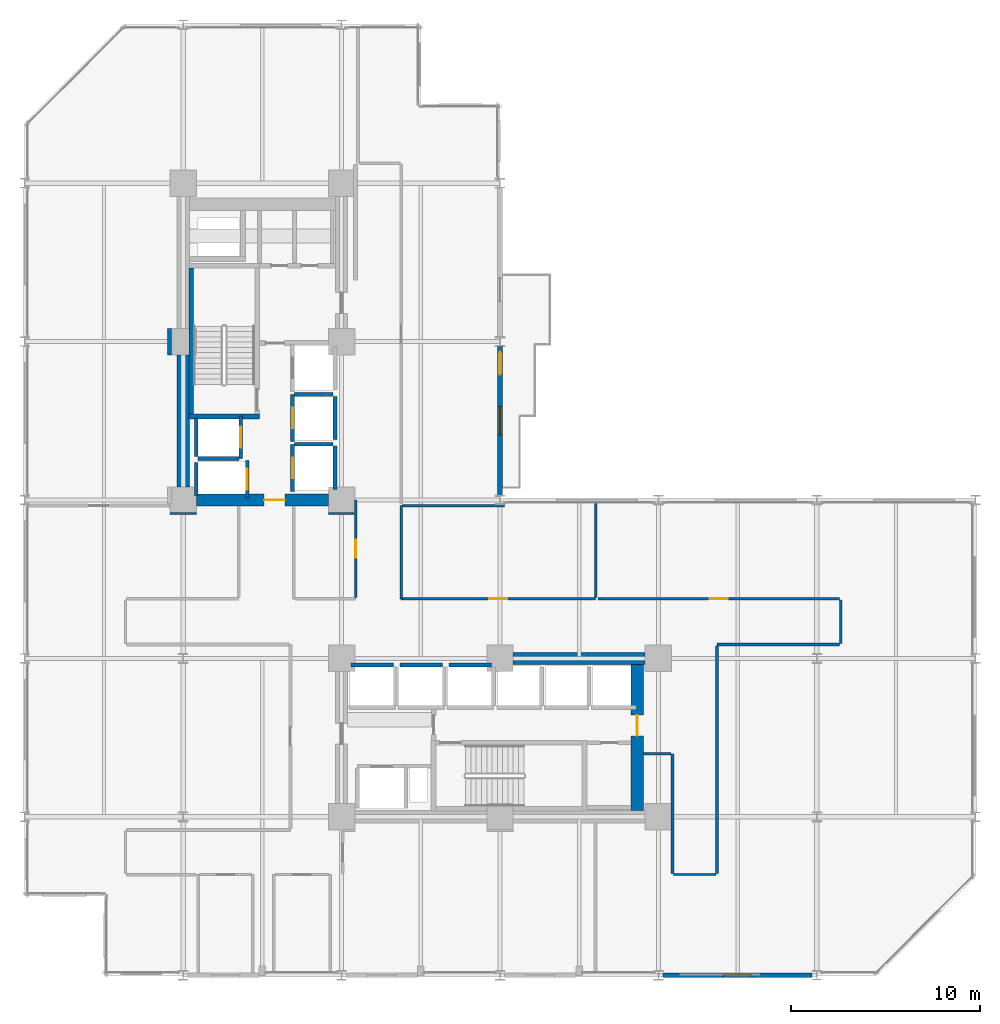
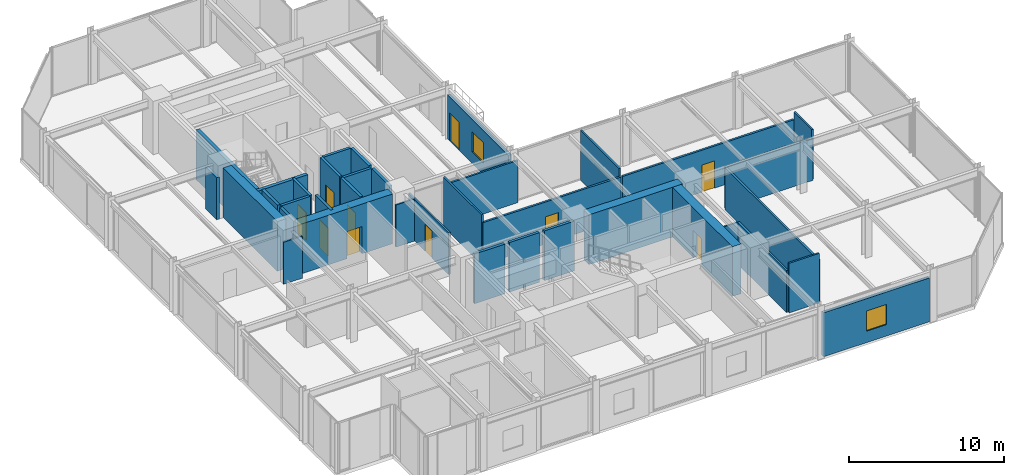
# One storey, part 20 of 24: 37 walls, 10 doors, 2 windows, 12 openings.
"""IFC4 building model written with IfcOpenShell, lengths in metres."""

from ifc_helpers import new_model, si_unit, direction, frame, frame_2d, origin, place, context, subcontext, project, spatial, rectangle, extrude, material, layer, layer_set, type_object, element, fill, save


model = new_model("IFC4")

# Units and contexts
model_context = context("Model", 3, precision=1e-05, world=origin(), true_north=direction((0.0, 1.0)))
body_context = subcontext(model_context, "Body", "Model", "MODEL_VIEW")
ifc_project = project(units=[si_unit("LENGTHUNIT", "METRE"), si_unit("AREAUNIT", "SQUARE_METRE"), si_unit("VOLUMEUNIT", "CUBIC_METRE"), si_unit("PLANEANGLEUNIT", "RADIAN"), si_unit("MASSUNIT", "GRAM", prefix="KILO")], contexts=[model_context])

# Site, building, storey
site_placement = place(None, origin())
site = spatial("IfcSite", under=ifc_project, at=site_placement, CompositionType="ELEMENT")
building_placement = place(site_placement, origin())
building = spatial("IfcBuilding", under=site, at=building_placement, Name="Nerrivon Quay Data Exchange", CompositionType="ELEMENT")
storey_placement = place(building_placement, frame((0.0, 0.0, 45.800048828125)))
storey = spatial("IfcBuildingStorey", under=building, at=storey_placement, Name="L10", CompositionType="ELEMENT", Elevation=45.800048828125)

# Wall, opening, window
ifc_material_1 = material(Name="Architectural terracotta precast concrete N50 (50 MPa)", Category="masonry")
ifc_layer_1 = layer(ifc_material_1, 0.239990234375)
ifc_layer_set_1 = layer_set([ifc_layer_1], Name="Architectural terracotta precast concrete N50 (50 MPa)")
wall_type_1 = type_object("IfcWallType", Name="EW-PREC-240", PredefinedType="STANDARD", material=ifc_layer_set_1)
wall_1_placement = place(storey_placement, frame((41.75, 0.0, 0.0), z_axis=(0.0, 0.0, 1.0), x_axis=(-1.0, 0.0, 0.0)))
wall_1 = element("IfcWall", 1, at=wall_1_placement, inside=storey, type_object=wall_type_1, Name="L10 Podium Precast Spandrel Wall 3", PredefinedType="STANDARD", context=body_context, shape_type="SweptSolid", body=[
    extrude(rectangle(XDim=7.89990234375, YDim=0.239990234375, at=frame_2d((3.949951171875, 0.0))), origin(), (0.0, 0.0, 1.0), 3.470947265625),
])
opening_1_placement = place(wall_1_placement, frame((3.199951171875, 0.0, 0.89990234375)))
opening_1 = element("IfcOpeningElement", 2, at=opening_1_placement, cuts=wall_1, Name="Opening WN4", PredefinedType="OPENING", context=body_context, shape_type="SweptSolid", body=[
    extrude(rectangle(XDim=1.5, YDim=1.60009765625, at=frame_2d((0.75, 0.800048828125))), frame((0.0, 0.1298828125, 0.0), z_axis=(0.0, -1.0, 0.0), x_axis=(1.0, 0.0, 0.0)), (0.0, 0.0, 1.0), 0.260009765625),
])
ifc_material_2 = material(Name="Double-glazed low-E solar control glass", Category="glass")
window_type = type_object("IfcWindowType", Name="WIN-W4-1500x1600", PartitioningType="SINGLE_PANEL", PredefinedType="WINDOW", material=ifc_material_2)
window_1_placement = place(opening_1_placement, origin())
window_1 = element("IfcWindow", 3, at=window_1_placement, inside=storey, type_object=window_type, Name="L10 Solar Facade Window 3", OverallHeight=1.60009765625, OverallWidth=1.5, PartitioningType="SINGLE_PANEL", PredefinedType="WINDOW", context=body_context, shape_type="SweptSolid", body=[
    extrude(rectangle(XDim=1.5, YDim=1.60009765625, at=frame_2d((0.75, 0.800048828125))), frame((0.0, 0.030029296875, 0.0), z_axis=(0.0, -1.0, 0.0), x_axis=(1.0, 0.0, 0.0)), (0.0, 0.0, 1.0), 0.06005859375),
])
fill(opening_1, window_1)

# Wall, openings, door, window
wall_2_placement = place(storey_placement, frame((25.199951171875, 33.35009765625, 0.0), z_axis=(0.0, 0.0, 1.0), x_axis=(0.0, -1.0, 0.0)))
wall_2 = element("IfcWall", 4, at=wall_2_placement, inside=storey, type_object=wall_type_1, Name="L10 Terrace Host Wall 27", PredefinedType="STANDARD", context=body_context, shape_type="SweptSolid", body=[
    extrude(rectangle(XDim=7.900146484375, YDim=0.239990234375, at=frame_2d((3.9501953125, 0.0))), origin(), (0.0, 0.0, 1.0), 3.470947265625),
])
opening_2_placement = place(wall_2_placement, frame((0.300048828125, 0.0, 0.0)))
opening_2 = element("IfcOpeningElement", 5, at=opening_2_placement, cuts=wall_2, Name="Opening TD1", PredefinedType="OPENING", context=body_context, shape_type="SweptSolid", body=[
    extrude(rectangle(XDim=1.199951171875, YDim=2.199951171875, at=frame_2d((0.60009765625, 1.10009765625))), frame((0.0, 0.1298828125, 0.0), z_axis=(0.0, -1.0, 0.0), x_axis=(1.0, 0.0, 0.0)), (0.0, 0.0, 1.0), 0.260009765625),
])
opening_3_placement = place(wall_2_placement, frame((3.199951171875, 0.0, 0.89990234375)))
opening_3 = element("IfcOpeningElement", 6, at=opening_3_placement, cuts=wall_2, Name="Opening WN4", PredefinedType="OPENING", context=body_context, shape_type="SweptSolid", body=[
    extrude(rectangle(XDim=1.5, YDim=1.60009765625, at=frame_2d((0.75, 0.800048828125))), frame((0.0, 0.1298828125, 0.0), z_axis=(0.0, -1.0, 0.0), x_axis=(1.0, 0.0, 0.0)), (0.0, 0.0, 1.0), 0.260009765625),
])
door_type_1 = type_object("IfcDoorType", Name="DR-TERR-1200x2200", OperationType="NOTDEFINED", PredefinedType="DOOR", material=ifc_material_2)
door_1_placement = place(opening_2_placement, origin())
door_1 = element("IfcDoor", 7, at=door_1_placement, inside=storey, type_object=door_type_1, Name="L10 Outdoor Terrace Access Door 27", OperationType="SINGLE_SWING_RIGHT", OverallHeight=2.199951171875, OverallWidth=1.199951171875, PredefinedType="DOOR", context=body_context, shape_type="SweptSolid", body=[
    extrude(rectangle(XDim=1.199951171875, YDim=2.199951171875, at=frame_2d((0.60009765625, 1.10009765625))), frame((0.0, 0.02490234375, 0.0), z_axis=(0.0, -1.0, 0.0), x_axis=(1.0, 0.0, 0.0)), (0.0, 0.0, 1.0), 0.050048828125),
])
fill(opening_2, door_1)
window_2_placement = place(opening_3_placement, origin())
window_2 = element("IfcWindow", 8, at=window_2_placement, inside=storey, type_object=window_type, Name="L10 Terrace Side Window 27", OverallHeight=1.60009765625, OverallWidth=1.5, PartitioningType="SINGLE_PANEL", PredefinedType="WINDOW", context=body_context, shape_type="SweptSolid", body=[
    extrude(rectangle(XDim=1.5, YDim=1.60009765625, at=frame_2d((0.75, 0.800048828125))), frame((0.0, 0.030029296875, 0.0), z_axis=(0.0, -1.0, 0.0), x_axis=(1.0, 0.0, 0.0)), (0.0, 0.0, 1.0), 0.06005859375),
])
fill(opening_3, window_2)

# Wall
ifc_material_3 = material(Name="Concrete N80 (80 MPa)", Category="concrete")
ifc_layer_2 = layer(ifc_material_3, 0.64990234375)
ifc_layer_set_2 = layer_set([ifc_layer_2], Name="Concrete N80 (80 MPa)")
wall_type_2 = type_object("IfcWallType", Name="WALL-CW-850", PredefinedType="SHEAR", material=ifc_layer_set_2)
wall_3_placement = place(storey_placement, frame((8.39990234375, 25.89990234375, 0.0), z_axis=(0.0, 0.0, 1.0), x_axis=(0.0, 1.0, 0.0)))
element("IfcWall", 9, at=wall_3_placement, inside=storey, type_object=wall_type_2, Name="L10 West Split-Core Shear Wall WCW-W1", PredefinedType="SHEAR", context=body_context, shape_type="SweptSolid", body=[
    extrude(rectangle(XDim=7.0, YDim=0.64990234375, at=frame_2d((3.5, 0.0))), origin(), (0.0, 0.0, 1.0), 3.925048828125),
])

# Wall, opening, door
wall_4_placement = place(storey_placement, frame((9.10009765625, 25.199951171875, 0.0), z_axis=(0.0, 0.0, 1.0), x_axis=(1.0, 0.0, 0.0)))
wall_4 = element("IfcWall", 10, at=wall_4_placement, inside=storey, type_object=wall_type_2, Name="L10 West Split-Core Shear Wall WCW-S1", PredefinedType="SHEAR", context=body_context, shape_type="SweptSolid", body=[
    extrude(rectangle(XDim=7.0, YDim=0.64990234375, at=frame_2d((3.5, 0.0))), origin(), (0.0, 0.0, 1.0), 3.925048828125),
])
opening_4_placement = place(wall_4_placement, frame((3.60009765625, 0.0, 0.0)))
opening_4 = element("IfcOpeningElement", 11, at=opening_4_placement, cuts=wall_4, Name="Opening FD-120", PredefinedType="OPENING", context=body_context, shape_type="SweptSolid", body=[
    extrude(rectangle(XDim=1.10009765625, YDim=2.14990234375, at=frame_2d((0.550048828125, 1.074951171875))), frame((0.0, 0.3349609375, 0.0), z_axis=(0.0, -1.0, 0.0), x_axis=(1.0, 0.0, 0.0)), (0.0, 0.0, 1.0), 0.669921875),
])
ifc_material_4 = material(Name="Powder-coated galvanized steel sheet", Category="steel")
door_type_2 = type_object("IfcDoorType", Name="DR-FD120-1100", OperationType="NOTDEFINED", PredefinedType="DOOR", material=ifc_material_4)
door_2_placement = place(opening_4_placement, origin())
door_2 = element("IfcDoor", 12, at=door_2_placement, inside=storey, type_object=door_type_2, Name="L10 West Core Lobby Fire Door", OperationType="SINGLE_SWING_RIGHT", OverallHeight=2.14990234375, OverallWidth=1.10009765625, PredefinedType="DOOR", context=body_context, shape_type="SweptSolid", body=[
    extrude(rectangle(XDim=1.10009765625, YDim=2.14990234375, at=frame_2d((0.550048828125, 1.074951171875))), frame((0.0, 0.02490234375, 0.0), z_axis=(0.0, -1.0, 0.0), x_axis=(1.0, 0.0, 0.0)), (0.0, 0.0, 1.0), 0.050048828125),
])
fill(opening_4, door_2)

wall_5_placement = place(storey_placement, frame((32.47509765625, 8.72509765625, 0.0), z_axis=(0.0, 0.0, 1.0), x_axis=(0.0, 1.0, 0.0)))
wall_5 = element("IfcWall", 13, at=wall_5_placement, inside=storey, type_object=wall_type_2, Name="L10 East Split-Core Shear Wall ECW-E1", PredefinedType="SHEAR", context=body_context, shape_type="SweptSolid", body=[
    extrude(rectangle(XDim=7.75, YDim=0.64990234375, at=frame_2d((3.875, 0.0))), origin(), (0.0, 0.0, 1.0), 3.925048828125),
])
opening_5_placement = place(wall_5_placement, frame((3.97509765625, 0.0, 0.0)))
opening_5 = element("IfcOpeningElement", 14, at=opening_5_placement, cuts=wall_5, Name="Opening FD-120", PredefinedType="OPENING", context=body_context, shape_type="SweptSolid", body=[
    extrude(rectangle(XDim=1.10009765625, YDim=2.14990234375, at=frame_2d((0.550048828125, 1.074951171875))), frame((0.0, 0.3349609375, 0.0), z_axis=(0.0, -1.0, 0.0), x_axis=(1.0, 0.0, 0.0)), (0.0, 0.0, 1.0), 0.669921875),
])
door_3_placement = place(opening_5_placement, origin())
door_3 = element("IfcDoor", 15, at=door_3_placement, inside=storey, type_object=door_type_2, Name="L10 East Core Lobby Fire Door", OperationType="SINGLE_SWING_LEFT", OverallHeight=2.14990234375, OverallWidth=1.10009765625, PredefinedType="DOOR", context=body_context, shape_type="SweptSolid", body=[
    extrude(rectangle(XDim=1.10009765625, YDim=2.14990234375, at=frame_2d((0.550048828125, 1.074951171875))), frame((0.0, 0.02490234375, 0.0), z_axis=(0.0, -1.0, 0.0), x_axis=(1.0, 0.0, 0.0)), (0.0, 0.0, 1.0), 0.050048828125),
])
fill(opening_5, door_3)

# Wall
wall_6_placement = place(storey_placement, frame((25.89990234375, 16.800048828125, 0.0), z_axis=(0.0, 0.0, 1.0), x_axis=(1.0, 0.0, 0.0)))
element("IfcWall", 16, at=wall_6_placement, inside=storey, type_object=wall_type_2, Name="L10 East Split-Core Shear Wall ECW-N1", PredefinedType="SHEAR", context=body_context, shape_type="SweptSolid", body=[
    extrude(rectangle(XDim=7.0, YDim=0.64990234375, at=frame_2d((3.5, 0.0))), origin(), (0.0, 0.0, 1.0), 3.925048828125),
])

# Wall, opening, door
ifc_material_5 = material(Name="Gypsum plasterboard on cold-formed framing", Category="gypsum")
ifc_layer_3 = layer(ifc_material_5, 0.199951171875)
ifc_layer_set_3 = layer_set([ifc_layer_3], Name="Gypsum plasterboard on cold-formed framing")
wall_type_3 = type_object("IfcWallType", Name="WALL-FW-200", PredefinedType="PARTITIONING", material=ifc_layer_set_3)
wall_7_placement = place(storey_placement, frame((11.449951171875, 27.39990234375, 0.0), z_axis=(0.0, 0.0, 1.0), x_axis=(0.0, 1.0, 0.0)))
wall_7 = element("IfcWall", 17, at=wall_7_placement, inside=storey, type_object=wall_type_3, Name="L10 Lift Front Wall FFL-1", PredefinedType="PARTITIONING", context=body_context, shape_type="SweptSolid", body=[
    extrude(rectangle(XDim=2.25, YDim=0.199951171875, at=frame_2d((1.125, 0.0))), origin(), (0.0, 0.0, 1.0), 3.925048828125),
])
opening_6_placement = place(wall_7_placement, frame((0.574951171875, 0.0, 0.0)))
opening_6 = element("IfcOpeningElement", 18, at=opening_6_placement, cuts=wall_7, Name="Opening LD-120", PredefinedType="OPENING", context=body_context, shape_type="SweptSolid", body=[
    extrude(rectangle(XDim=1.10009765625, YDim=2.199951171875, at=frame_2d((0.550048828125, 1.10009765625))), frame((0.0, 0.10986328125, 0.0), z_axis=(0.0, -1.0, 0.0), x_axis=(1.0, 0.0, 0.0)), (0.0, 0.0, 1.0), 0.219970703125),
])
door_type_3 = type_object("IfcDoorType", Name="DR-LIFT-LD120", OperationType="DOUBLE_DOOR_SLIDING", PredefinedType="DOOR", material=ifc_material_4)
door_4_placement = place(opening_6_placement, origin())
door_4 = element("IfcDoor", 19, at=door_4_placement, inside=storey, type_object=door_type_3, Name="L10 Lift Landing Sliding Door FFL-1", OperationType="DOUBLE_DOOR_SLIDING", OverallHeight=2.199951171875, OverallWidth=1.10009765625, PredefinedType="DOOR", context=body_context, shape_type="SweptSolid", body=[
    extrude(rectangle(XDim=1.10009765625, YDim=2.199951171875, at=frame_2d((0.550048828125, 1.10009765625))), frame((0.0, 0.02490234375, 0.0), z_axis=(0.0, -1.0, 0.0), x_axis=(1.0, 0.0, 0.0)), (0.0, 0.0, 1.0), 0.050048828125),
])
fill(opening_6, door_4)

# Walls
wall_8_placement = place(storey_placement, frame((9.10009765625, 27.5, 0.0), z_axis=(0.0, 0.0, 1.0), x_axis=(0.0, 1.0, 0.0)))
element("IfcWall", 20, at=wall_8_placement, inside=storey, type_object=wall_type_3, Name="L10 Lift Shaft Wall FFL-1 WEST", PredefinedType="PARTITIONING", context=body_context, shape_type="SweptSolid", body=[
    extrude(rectangle(XDim=2.050048828125, YDim=0.199951171875, at=frame_2d((1.02490234375, 0.0))), origin(), (0.0, 0.0, 1.0), 3.925048828125),
])
wall_9_placement = place(storey_placement, frame((9.199951171875, 27.39990234375, 0.0), z_axis=(0.0, 0.0, 1.0), x_axis=(1.0, 0.0, 0.0)))
element("IfcWall", 21, at=wall_9_placement, inside=storey, type_object=wall_type_3, Name="L10 Lift Shaft Wall FFL-1 SOUTH", PredefinedType="PARTITIONING", context=body_context, shape_type="SweptSolid", body=[
    extrude(rectangle(XDim=2.150146484375, YDim=0.199951171875, at=frame_2d((1.0751953125, 0.0))), origin(), (0.0, 0.0, 1.0), 3.925048828125),
])

# Wall, opening, door
wall_10_placement = place(storey_placement, frame((11.800048828125, 25.300048828125, 0.0), z_axis=(0.0, 0.0, 1.0), x_axis=(0.0, 1.0, 0.0)))
wall_10 = element("IfcWall", 22, at=wall_10_placement, inside=storey, type_object=wall_type_3, Name="L10 Lift Front Wall SVL-1", PredefinedType="PARTITIONING", context=body_context, shape_type="SweptSolid", body=[
    extrude(rectangle(XDim=2.0, YDim=0.199951171875, at=frame_2d((1.0, 0.0))), origin(), (0.0, 0.0, 1.0), 3.925048828125),
])
opening_7_placement = place(wall_10_placement, frame((0.449951171875, 0.0, 0.0)))
opening_7 = element("IfcOpeningElement", 23, at=opening_7_placement, cuts=wall_10, Name="Opening LD-120", PredefinedType="OPENING", context=body_context, shape_type="SweptSolid", body=[
    extrude(rectangle(XDim=1.10009765625, YDim=2.199951171875, at=frame_2d((0.550048828125, 1.10009765625))), frame((0.0, 0.10986328125, 0.0), z_axis=(0.0, -1.0, 0.0), x_axis=(1.0, 0.0, 0.0)), (0.0, 0.0, 1.0), 0.219970703125),
])
door_5_placement = place(opening_7_placement, origin())
door_5 = element("IfcDoor", 24, at=door_5_placement, inside=storey, type_object=door_type_3, Name="L10 Lift Landing Sliding Door SVL-1", OperationType="DOUBLE_DOOR_SLIDING", OverallHeight=2.199951171875, OverallWidth=1.10009765625, PredefinedType="DOOR", context=body_context, shape_type="SweptSolid", body=[
    extrude(rectangle(XDim=1.10009765625, YDim=2.199951171875, at=frame_2d((0.550048828125, 1.10009765625))), frame((0.0, 0.02490234375, 0.0), z_axis=(0.0, -1.0, 0.0), x_axis=(1.0, 0.0, 0.0)), (0.0, 0.0, 1.0), 0.050048828125),
])
fill(opening_7, door_5)

# Wall
wall_11_placement = place(storey_placement, frame((9.10009765625, 25.39990234375, 0.0), z_axis=(0.0, 0.0, 1.0), x_axis=(0.0, 1.0, 0.0)))
element("IfcWall", 25, at=wall_11_placement, inside=storey, type_object=wall_type_3, Name="L10 Lift Shaft Wall SVL-1 WEST", PredefinedType="PARTITIONING", context=body_context, shape_type="SweptSolid", body=[
    extrude(rectangle(XDim=1.800048828125, YDim=0.199951171875, at=frame_2d((0.89990234375, 0.0))), origin(), (0.0, 0.0, 1.0), 3.925048828125),
])

# Wall, opening, door
wall_12_placement = place(storey_placement, frame((14.199951171875, 25.64990234375, 0.0), z_axis=(0.0, 0.0, 1.0), x_axis=(0.0, 1.0, 0.0)))
wall_12 = element("IfcWall", 26, at=wall_12_placement, inside=storey, type_object=wall_type_3, Name="L10 Lift Front Wall PL1", PredefinedType="PARTITIONING", context=body_context, shape_type="SweptSolid", body=[
    extrude(rectangle(XDim=2.5, YDim=0.199951171875, at=frame_2d((1.25, 0.0))), origin(), (0.0, 0.0, 1.0), 3.925048828125),
])
opening_8_placement = place(wall_12_placement, frame((0.699951171875, 0.0, 0.0)))
opening_8 = element("IfcOpeningElement", 27, at=opening_8_placement, cuts=wall_12, Name="Opening LD-120", PredefinedType="OPENING", context=body_context, shape_type="SweptSolid", body=[
    extrude(rectangle(XDim=1.10009765625, YDim=2.199951171875, at=frame_2d((0.550048828125, 1.10009765625))), frame((0.0, 0.10986328125, 0.0), z_axis=(0.0, -1.0, 0.0), x_axis=(1.0, 0.0, 0.0)), (0.0, 0.0, 1.0), 0.219970703125),
])
door_6_placement = place(opening_8_placement, origin())
door_6 = element("IfcDoor", 28, at=door_6_placement, inside=storey, type_object=door_type_3, Name="L10 Lift Landing Sliding Door PL1", OperationType="DOUBLE_DOOR_SLIDING", OverallHeight=2.199951171875, OverallWidth=1.10009765625, PredefinedType="DOOR", context=body_context, shape_type="SweptSolid", body=[
    extrude(rectangle(XDim=1.10009765625, YDim=2.199951171875, at=frame_2d((0.550048828125, 1.10009765625))), frame((0.0, 0.02490234375, 0.0), z_axis=(0.0, -1.0, 0.0), x_axis=(1.0, 0.0, 0.0)), (0.0, 0.0, 1.0), 0.050048828125),
])
fill(opening_8, door_6)

# Walls
wall_13_placement = place(storey_placement, frame((16.449951171875, 25.75, 0.0), z_axis=(0.0, 0.0, 1.0), x_axis=(0.0, 1.0, 0.0)))
element("IfcWall", 29, at=wall_13_placement, inside=storey, type_object=wall_type_3, Name="L10 Lift Shaft Wall PL1 EAST", PredefinedType="PARTITIONING", context=body_context, shape_type="SweptSolid", body=[
    extrude(rectangle(XDim=2.300048828125, YDim=0.199951171875, at=frame_2d((1.14990234375, 0.0))), origin(), (0.0, 0.0, 1.0), 3.925048828125),
])
wall_14_placement = place(storey_placement, frame((14.300048828125, 28.14990234375, 0.0), z_axis=(0.0, 0.0, 1.0), x_axis=(1.0, 0.0, 0.0)))
element("IfcWall", 30, at=wall_14_placement, inside=storey, type_object=wall_type_3, Name="L10 Lift Shaft Wall PL1 NORTH", PredefinedType="PARTITIONING", context=body_context, shape_type="SweptSolid", body=[
    extrude(rectangle(XDim=2.050048828125, YDim=0.199951171875, at=frame_2d((1.02490234375, 0.0))), origin(), (0.0, 0.0, 1.0), 3.925048828125),
])

# Wall, opening, door
wall_15_placement = place(storey_placement, frame((14.199951171875, 28.300048828125, 0.0), z_axis=(0.0, 0.0, 1.0), x_axis=(0.0, 1.0, 0.0)))
wall_15 = element("IfcWall", 31, at=wall_15_placement, inside=storey, type_object=wall_type_3, Name="L10 Lift Front Wall PL2", PredefinedType="PARTITIONING", context=body_context, shape_type="SweptSolid", body=[
    extrude(rectangle(XDim=2.5, YDim=0.199951171875, at=frame_2d((1.25, 0.0))), origin(), (0.0, 0.0, 1.0), 3.925048828125),
])
opening_9_placement = place(wall_15_placement, frame((0.699951171875, 0.0, 0.0)))
opening_9 = element("IfcOpeningElement", 32, at=opening_9_placement, cuts=wall_15, Name="Opening LD-120", PredefinedType="OPENING", context=body_context, shape_type="SweptSolid", body=[
    extrude(rectangle(XDim=1.10009765625, YDim=2.199951171875, at=frame_2d((0.550048828125, 1.10009765625))), frame((0.0, 0.10986328125, 0.0), z_axis=(0.0, -1.0, 0.0), x_axis=(1.0, 0.0, 0.0)), (0.0, 0.0, 1.0), 0.219970703125),
])
door_7_placement = place(opening_9_placement, origin())
door_7 = element("IfcDoor", 33, at=door_7_placement, inside=storey, type_object=door_type_3, Name="L10 Lift Landing Sliding Door PL2", OperationType="DOUBLE_DOOR_SLIDING", OverallHeight=2.199951171875, OverallWidth=1.10009765625, PredefinedType="DOOR", context=body_context, shape_type="SweptSolid", body=[
    extrude(rectangle(XDim=1.10009765625, YDim=2.199951171875, at=frame_2d((0.550048828125, 1.10009765625))), frame((0.0, 0.02490234375, 0.0), z_axis=(0.0, -1.0, 0.0), x_axis=(1.0, 0.0, 0.0)), (0.0, 0.0, 1.0), 0.050048828125),
])
fill(opening_9, door_7)

# Walls
wall_16_placement = place(storey_placement, frame((16.449951171875, 28.39990234375, 0.0), z_axis=(0.0, 0.0, 1.0), x_axis=(0.0, 1.0, 0.0)))
element("IfcWall", 34, at=wall_16_placement, inside=storey, type_object=wall_type_3, Name="L10 Lift Shaft Wall PL2 EAST", PredefinedType="PARTITIONING", context=body_context, shape_type="SweptSolid", body=[
    extrude(rectangle(XDim=2.300048828125, YDim=0.199951171875, at=frame_2d((1.14990234375, 0.0))), origin(), (0.0, 0.0, 1.0), 3.925048828125),
])
wall_17_placement = place(storey_placement, frame((14.300048828125, 30.800048828125, 0.0), z_axis=(0.0, 0.0, 1.0), x_axis=(1.0, 0.0, 0.0)))
element("IfcWall", 35, at=wall_17_placement, inside=storey, type_object=wall_type_3, Name="L10 Lift Shaft Wall PL2 NORTH", PredefinedType="PARTITIONING", context=body_context, shape_type="SweptSolid", body=[
    extrude(rectangle(XDim=2.050048828125, YDim=0.199951171875, at=frame_2d((1.02490234375, 0.0))), origin(), (0.0, 0.0, 1.0), 3.925048828125),
])
for number, where, z_axis, x_axis, name in (
    (36, (17.300048828125, 16.449951171875, 0.0), (0.0, 0.0, 1.0), (1.0, 0.0, 0.0), "L10 Lift Shaft Wall PL4 NORTH"),
    (37, (19.89990234375, 16.449951171875, 0.0), (0.0, 0.0, 1.0), (1.0, 0.0, 0.0), "L10 Lift Shaft Wall PL5 NORTH"),
    (38, (22.5, 16.449951171875, 0.0), (0.0, 0.0, 1.0), (1.0, 0.0, 0.0), "L10 Lift Shaft Wall PL6 NORTH"),
):
    element("IfcWall", number, at=place(storey_placement, frame(where, z_axis=z_axis, x_axis=x_axis)), inside=storey, type_object=wall_type_3, Name=name, PredefinedType="PARTITIONING", context=body_context, shape_type="SweptSolid", body=[
        extrude(rectangle(XDim=2.25, YDim=0.199951171875, at=frame_2d((1.125, 0.0))), origin(), (0.0, 0.0, 1.0), 3.925048828125),
    ])
wall_18_placement = place(storey_placement, frame((7.680908203125, 32.894287109375, 0.0), z_axis=(0.0, 0.0, 1.0), x_axis=(-0.000694685487, 0.999999758706, 0.0)))
element("IfcWall", 39, at=wall_18_placement, inside=storey, type_object=wall_type_3, Name="L10 Partition Colocation Data Workspace 1", PredefinedType="PARTITIONING", context=body_context, shape_type="SweptSolid", body=[
    extrude(rectangle(XDim=1.40576171875, YDim=0.199951171875, at=frame_2d((0.702880859375, 0.0))), origin(), (0.0, 0.0, 1.0), 3.31298828125),
])
ifc_layer_4 = layer(ifc_material_5, 0.1201171875)
ifc_layer_set_4 = layer_set([ifc_layer_4], Name="Gypsum plasterboard on cold-formed framing")
wall_type_4 = type_object("IfcWallType", Name="WALL-PT-120", PredefinedType="PARTITIONING", material=ifc_layer_set_4)
wall_19_placement = place(storey_placement, frame((17.468505859375, 24.48046875, 0.0), z_axis=(0.0, 0.0, 1.0), x_axis=(-0.99999993688, 0.000355302873, 0.0)))
element("IfcWall", 40, at=wall_19_placement, inside=storey, type_object=wall_type_4, Name="L10 Partition Staff Pantry", PredefinedType="PARTITIONING", context=body_context, shape_type="SweptSolid", body=[
    extrude(rectangle(XDim=1.374267578125, YDim=0.1201171875, at=frame_2d((0.68701171875, 0.0))), origin(), (0.0, 0.0, 1.0), 3.322998046875),
])
wall_20_placement = place(storey_placement, frame((9.105712890625, 24.48095703125, 0.0), z_axis=(0.0, 0.0, 1.0), x_axis=(-0.999999758706, -0.000694685487, 0.0)))
element("IfcWall", 41, at=wall_20_placement, inside=storey, type_object=wall_type_4, Name="L10 Partition Cloud Compute Workspace 1", PredefinedType="PARTITIONING", context=body_context, shape_type="SweptSolid", body=[
    extrude(rectangle(XDim=1.40576171875, YDim=0.1201171875, at=frame_2d((0.702880859375, 0.0))), origin(), (0.0, 0.0, 1.0), 3.322998046875),
])
wall_21_placement = place(storey_placement, frame((43.260009765625, 19.89990234375, 0.0), z_axis=(0.0, 0.0, 1.0), x_axis=(0.0, -1.0, 0.0)))
element("IfcWall", 42, at=wall_21_placement, inside=storey, type_object=wall_type_4, Name="L10 Partition Optical Engineering Studios Workspace", PredefinedType="PARTITIONING", context=body_context, shape_type="SweptSolid", body=[
    extrude(rectangle(XDim=2.2998046875, YDim=0.1201171875, at=frame_2d((1.14990234375, 0.0))), origin(), (0.0, 0.0, 1.0), 3.925048828125),
])
wall_22_placement = place(storey_placement, frame((36.64990234375, 5.340087890625, 0.0), z_axis=(0.0, 0.0, 1.0), x_axis=(-1.0, 0.0, 0.0)))
element("IfcWall", 43, at=wall_22_placement, inside=storey, type_object=wall_type_4, Name="L10 Partition Optical Engineering Studios Workspace", PredefinedType="PARTITIONING", context=body_context, shape_type="SweptSolid", body=[
    extrude(rectangle(XDim=2.25, YDim=0.1201171875, at=frame_2d((1.125, 0.0))), origin(), (0.0, 0.0, 1.0), 3.925048828125),
])
wall_23_placement = place(storey_placement, frame((34.260986328125, 11.739990234375, 0.0), z_axis=(0.0, 0.0, 1.0), x_axis=(-1.0, 0.0, 0.0)))
element("IfcWall", 44, at=wall_23_placement, inside=storey, type_object=wall_type_4, Name="L10 Partition Optical Engineering Studios Workspace", PredefinedType="PARTITIONING", context=body_context, shape_type="SweptSolid", body=[
    extrude(rectangle(XDim=1.45703125, YDim=0.1201171875, at=frame_2d((0.728515625, 0.0))), origin(), (0.0, 0.0, 1.0), 3.322998046875),
])

# Wall, opening, door
ifc_layer_5 = layer(ifc_material_5, 0.135009765625)
ifc_layer_set_5 = layer_set([ifc_layer_5], Name="Gypsum plasterboard on cold-formed framing")
wall_type_5 = type_object("IfcWallType", Name="WALL-PT-135", PredefinedType="PARTITIONING", material=ifc_layer_set_5)
wall_24_placement = place(storey_placement, frame((17.5400390625, 20.031494140625, 0.0), z_axis=(0.0, 0.0, 1.0), x_axis=(0.0, 1.0, 0.0)))
wall_24 = element("IfcWall", 45, at=wall_24_placement, inside=storey, type_object=wall_type_5, Name="L10 Partition Staff Pantry", PredefinedType="PARTITIONING", context=body_context, shape_type="SweptSolid", body=[
    extrude(rectangle(XDim=5.16845703125, YDim=0.135009765625, at=frame_2d((2.584228515625, 0.0))), origin(), (0.0, 0.0, 1.0), 3.31298828125),
])
opening_10_placement = place(wall_24_placement, frame((2.109130859375, 0.0, 0.0)))
opening_10 = element("IfcOpeningElement", 46, at=opening_10_placement, cuts=wall_24, Name="Opening D-01", PredefinedType="OPENING", context=body_context, shape_type="SweptSolid", body=[
    extrude(rectangle(XDim=0.949951171875, YDim=2.14990234375, at=frame_2d((0.47509765625, 1.074951171875))), frame((0.0, 0.077392578125, 0.0), z_axis=(0.0, -1.0, 0.0), x_axis=(1.0, 0.0, 0.0)), (0.0, 0.0, 1.0), 0.155029296875),
])
ifc_material_6 = material(Name="Engineered hardwood timber", Category="wood")
door_type_4 = type_object("IfcDoorType", Name="DR-INT-950", OperationType="NOTDEFINED", PredefinedType="DOOR", material=ifc_material_6)
door_8_placement = place(opening_10_placement, origin())
door_8 = element("IfcDoor", 47, at=door_8_placement, inside=storey, type_object=door_type_4, Name="L10 Door Staff Pantry", OperationType="SINGLE_SWING_RIGHT", OverallHeight=2.14990234375, OverallWidth=0.949951171875, PredefinedType="DOOR", context=body_context, shape_type="SweptSolid", body=[
    extrude(rectangle(XDim=0.949951171875, YDim=2.14990234375, at=frame_2d((0.47509765625, 1.074951171875))), frame((0.0, 0.02490234375, 0.0), z_axis=(0.0, -1.0, 0.0), x_axis=(1.0, 0.0, 0.0)), (0.0, 0.0, 1.0), 0.050048828125),
])
fill(opening_10, door_8)

# Walls
wall_25_placement = place(storey_placement, frame((19.9599609375, 24.90087890625, 0.0), z_axis=(0.0, 0.0, 1.0), x_axis=(0.0, -1.0, 0.0)))
element("IfcWall", 48, at=wall_25_placement, inside=storey, type_object=wall_type_5, Name="L10 Partition Client Conference Room 1", PredefinedType="PARTITIONING", context=body_context, shape_type="SweptSolid", body=[
    extrude(rectangle(XDim=4.94091796875, YDim=0.135009765625, at=frame_2d((2.470458984375, 0.0))), origin(), (0.0, 0.0, 1.0), 3.925048828125),
])
wall_26_placement = place(storey_placement, frame((30.268798828125, 20.0390625, 0.0), z_axis=(0.0, 0.0, 1.0), x_axis=(0.0, 1.0, 0.0)))
element("IfcWall", 49, at=wall_26_placement, inside=storey, type_object=wall_type_5, Name="L10 Partition Client Conference Room 1", PredefinedType="PARTITIONING", context=body_context, shape_type="SweptSolid", body=[
    extrude(rectangle(XDim=4.991943359375, YDim=0.135009765625, at=frame_2d((2.49609375, 0.0))), origin(), (0.0, 0.0, 1.0), 3.925048828125),
])
wall_27_placement = place(storey_placement, frame((25.449951171875, 24.90087890625, 0.0), z_axis=(0.0, 0.0, 1.0), x_axis=(-1.0, 0.0, 0.0)))
element("IfcWall", 50, at=wall_27_placement, inside=storey, type_object=wall_type_5, Name="L10 Partition Client Conference Room 1", PredefinedType="PARTITIONING", context=body_context, shape_type="SweptSolid", body=[
    extrude(rectangle(XDim=5.41845703125, YDim=0.135009765625, at=frame_2d((2.709228515625, 0.0))), origin(), (0.0, 0.0, 1.0), 3.322998046875),
])

# Wall, opening, door
ifc_layer_6 = layer(ifc_material_5, 0.14990234375)
ifc_layer_set_6 = layer_set([ifc_layer_6], Name="Gypsum plasterboard on cold-formed framing")
wall_type_6 = type_object("IfcWallType", Name="WALL-PT-150", PredefinedType="PARTITIONING", material=ifc_layer_set_6)
wall_28_placement = place(storey_placement, frame((19.9599609375, 19.9599609375, 0.0), z_axis=(0.0, 0.0, 1.0), x_axis=(1.0, 0.0, 0.0)))
wall_28 = element("IfcWall", 51, at=wall_28_placement, inside=storey, type_object=wall_type_6, Name="L10 Partition Client Conference Room 1", PredefinedType="PARTITIONING", context=body_context, shape_type="SweptSolid", body=[
    extrude(rectangle(XDim=10.308837890625, YDim=0.14990234375, at=frame_2d((5.154296875, 0.0))), origin(), (0.0, 0.0, 1.0), 3.322998046875),
])
opening_11_placement = place(wall_28_placement, frame((4.679443359375, 0.0, 0.0)))
opening_11 = element("IfcOpeningElement", 52, at=opening_11_placement, cuts=wall_28, Name="Opening D-01", PredefinedType="OPENING", context=body_context, shape_type="SweptSolid", body=[
    extrude(rectangle(XDim=0.949951171875, YDim=2.14990234375, at=frame_2d((0.47509765625, 1.074951171875))), frame((0.0, 0.0849609375, 0.0), z_axis=(0.0, -1.0, 0.0), x_axis=(1.0, 0.0, 0.0)), (0.0, 0.0, 1.0), 0.169921875),
])
door_9_placement = place(opening_11_placement, origin())
door_9 = element("IfcDoor", 53, at=door_9_placement, inside=storey, type_object=door_type_4, Name="L10 Door Client Conference Room 1", OperationType="SINGLE_SWING_LEFT", OverallHeight=2.14990234375, OverallWidth=0.949951171875, PredefinedType="DOOR", context=body_context, shape_type="SweptSolid", body=[
    extrude(rectangle(XDim=0.949951171875, YDim=2.14990234375, at=frame_2d((0.47509765625, 1.074951171875))), frame((0.0, 0.02490234375, 0.0), z_axis=(0.0, -1.0, 0.0), x_axis=(1.0, 0.0, 0.0)), (0.0, 0.0, 1.0), 0.050048828125),
])
fill(opening_11, door_9)

wall_29_placement = place(storey_placement, frame((30.388916015625, 19.9599609375, 0.0), z_axis=(0.0, 0.0, 1.0), x_axis=(1.0, 0.0, 0.0)))
wall_29 = element("IfcWall", 54, at=wall_29_placement, inside=storey, type_object=wall_type_6, Name="L10 Partition Optical Engineering Studios Workspace", PredefinedType="PARTITIONING", context=body_context, shape_type="SweptSolid", body=[
    extrude(rectangle(XDim=12.81103515625, YDim=0.14990234375, at=frame_2d((6.405517578125, 0.0))), origin(), (0.0, 0.0, 1.0), 3.322998046875),
])
opening_12_placement = place(wall_29_placement, frame((5.9306640625, 0.0, 0.0)))
opening_12 = element("IfcOpeningElement", 55, at=opening_12_placement, cuts=wall_29, Name="Opening D-01", PredefinedType="OPENING", context=body_context, shape_type="SweptSolid", body=[
    extrude(rectangle(XDim=0.949951171875, YDim=2.14990234375, at=frame_2d((0.47509765625, 1.074951171875))), frame((0.0, 0.0849609375, 0.0), z_axis=(0.0, -1.0, 0.0), x_axis=(1.0, 0.0, 0.0)), (0.0, 0.0, 1.0), 0.169921875),
])
door_10_placement = place(opening_12_placement, origin())
door_10 = element("IfcDoor", 56, at=door_10_placement, inside=storey, type_object=door_type_4, Name="L10 Door Optical Engineering Studios Workspace", OperationType="SINGLE_SWING_RIGHT", OverallHeight=2.14990234375, OverallWidth=0.949951171875, PredefinedType="DOOR", context=body_context, shape_type="SweptSolid", body=[
    extrude(rectangle(XDim=0.949951171875, YDim=2.14990234375, at=frame_2d((0.47509765625, 1.074951171875))), frame((0.0, 0.02490234375, 0.0), z_axis=(0.0, -1.0, 0.0), x_axis=(1.0, 0.0, 0.0)), (0.0, 0.0, 1.0), 0.050048828125),
])
fill(opening_12, door_10)

# Walls
wall_30_placement = place(storey_placement, frame((43.199951171875, 17.5400390625, 0.0), z_axis=(0.0, 0.0, 1.0), x_axis=(-1.0, 0.0, 0.0)))
element("IfcWall", 57, at=wall_30_placement, inside=storey, type_object=wall_type_6, Name="L10 Partition Optical Engineering Studios Workspace", PredefinedType="PARTITIONING", context=body_context, shape_type="SweptSolid", body=[
    extrude(rectangle(XDim=6.489990234375, YDim=0.14990234375, at=frame_2d((3.2451171875, 0.0))), origin(), (0.0, 0.0, 1.0), 3.322998046875),
])
wall_31_placement = place(storey_placement, frame((36.7099609375, 17.4609375, 0.0), z_axis=(0.0, 0.0, 1.0), x_axis=(0.0, -1.0, 0.0)))
element("IfcWall", 58, at=wall_31_placement, inside=storey, type_object=wall_type_6, Name="L10 Partition Optical Engineering Studios Workspace", PredefinedType="PARTITIONING", context=body_context, shape_type="SweptSolid", body=[
    extrude(rectangle(XDim=12.06103515625, YDim=0.14990234375, at=frame_2d((6.030517578125, 0.0))), origin(), (0.0, 0.0, 1.0), 3.31298828125),
])
wall_32_placement = place(storey_placement, frame((34.340087890625, 5.39990234375, 0.0), z_axis=(0.0, 0.0, 1.0), x_axis=(0.0, 1.0, 0.0)))
element("IfcWall", 59, at=wall_32_placement, inside=storey, type_object=wall_type_6, Name="L10 Partition Optical Engineering Studios Workspace", PredefinedType="PARTITIONING", context=body_context, shape_type="SweptSolid", body=[
    extrude(rectangle(XDim=6.340087890625, YDim=0.14990234375, at=frame_2d((3.169921875, 0.0))), origin(), (0.0, 0.0, 1.0), 3.31298828125),
])
ifc_material_7 = material(Name="Concrete N50 (50 MPa)", Category="concrete")
ifc_layer_7 = layer(ifc_material_7, 0.25)
ifc_layer_set_7 = layer_set([ifc_layer_7], Name="Concrete N50 (50 MPa)")
wall_type_7 = type_object("IfcWallType", Name="WALL-SW-250", PredefinedType="SHEAR", material=ifc_layer_set_7)
wall_33_placement = place(storey_placement, frame((12.449951171875, 29.625, 0.0), z_axis=(0.0, 0.0, 1.0), x_axis=(-1.0, 0.0, 0.0)))
element("IfcWall", 60, at=wall_33_placement, inside=storey, type_object=wall_type_7, Name="L10 ST01 Structural Stair Core Wall NEAR", PredefinedType="SHEAR", context=body_context, shape_type="SweptSolid", body=[
    extrude(rectangle(XDim=3.75, YDim=0.25, at=frame_2d((1.875, 0.0))), origin(), (0.0, 0.0, 1.0), 3.925048828125),
])
wall_34_placement = place(storey_placement, frame((8.824951171875, 29.75, 0.0), z_axis=(0.0, 0.0, 1.0), x_axis=(0.0, 1.0, 0.0)))
element("IfcWall", 61, at=wall_34_placement, inside=storey, type_object=wall_type_7, Name="L10 ST01 Structural Stair Core Wall RIGHT", PredefinedType="SHEAR", context=body_context, shape_type="SweptSolid", body=[
    extrude(rectangle(XDim=7.75, YDim=0.25, at=frame_2d((3.875, 0.0))), origin(), (0.0, 0.0, 1.0), 3.925048828125),
])

save(model, "model.ifc")
